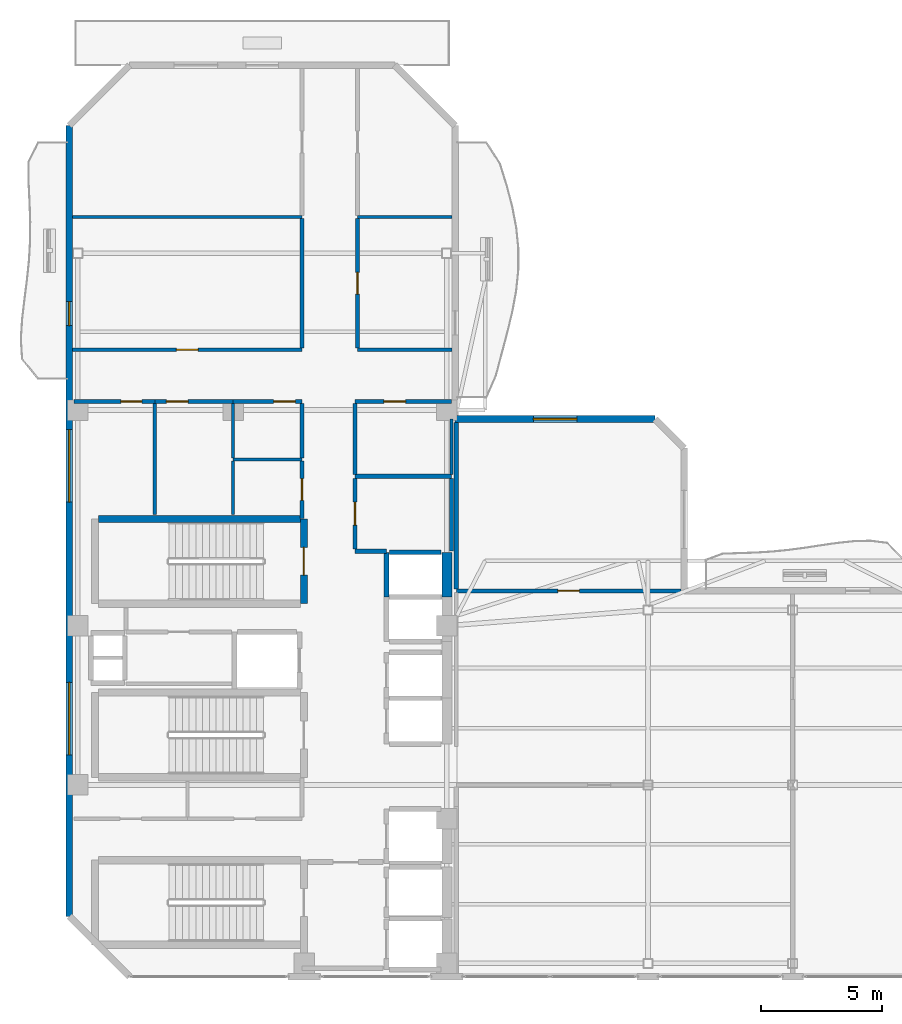
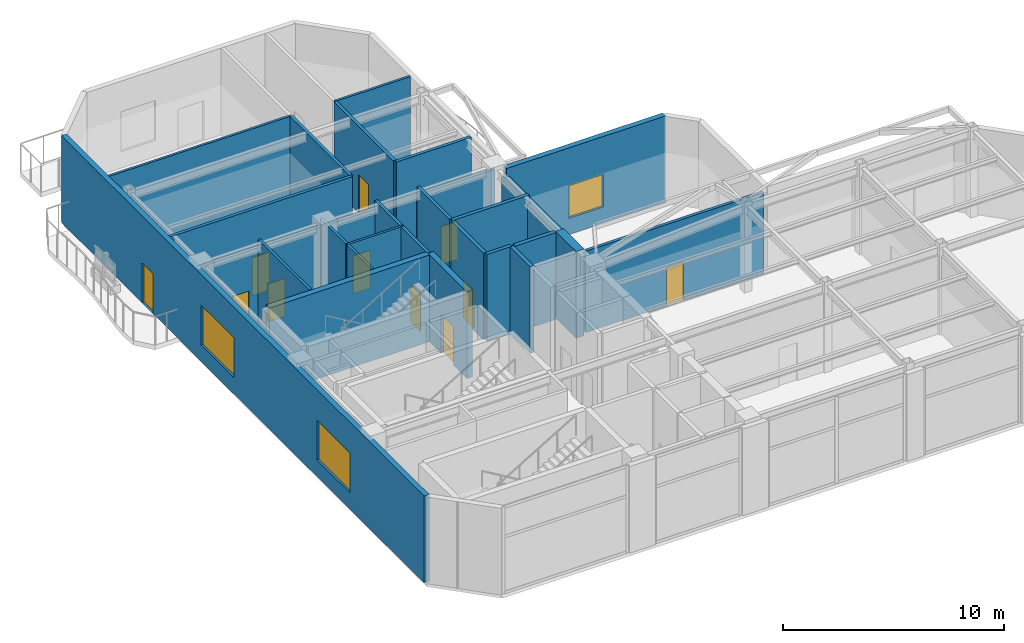
# One storey, part 10 of 14: 31 walls, 11 doors, 3 windows, 14 openings.
"""IFC4 building model written with IfcOpenShell, lengths in metres."""

from ifc_helpers import new_model, si_unit, direction, frame, frame_2d, origin, place, context, subcontext, project, spatial, rectangle, extrude, material, layer, layer_set, type_object, element, fill, save


model = new_model("IFC4")

# Units and contexts
model_context = context("Model", 3, precision=1e-05, world=origin(), true_north=direction((0.0, 1.0)))
body_context = subcontext(model_context, "Body", "Model", "MODEL_VIEW")
ifc_project = project(units=[si_unit("LENGTHUNIT", "METRE"), si_unit("AREAUNIT", "SQUARE_METRE"), si_unit("VOLUMEUNIT", "CUBIC_METRE"), si_unit("PLANEANGLEUNIT", "RADIAN"), si_unit("MASSUNIT", "GRAM", prefix="KILO")], contexts=[model_context])

# Site, building, storey
site_placement = place(None, origin())
site = spatial("IfcSite", under=ifc_project, at=site_placement, CompositionType="ELEMENT")
building_placement = place(site_placement, origin())
building = spatial("IfcBuilding", under=site, at=building_placement, Name="Mawjaban Terraces University", CompositionType="ELEMENT")
storey_placement = place(building_placement, frame((0.0, 0.0, 243.199951171875)))
storey = spatial("IfcBuildingStorey", under=building, at=storey_placement, Name="L59", CompositionType="ELEMENT", Elevation=243.199951171875)

# Walls
ifc_material_1 = material(Name="Acoustic masonry blockwork", Category="masonry")
ifc_layer_1 = layer(ifc_material_1, 0.179931640625)
ifc_layer_set_1 = layer_set([ifc_layer_1], Name="Acoustic masonry blockwork")
wall_type_1 = type_object("IfcWallType", Name="AcousticStudioWall_180", PredefinedType="PARTITIONING", material=ifc_layer_set_1)
wall_1_placement = place(storey_placement, frame((33.85009765625, 17.64990234375, 0.0), z_axis=(0.0, 0.0, 1.0), x_axis=(1.0, 0.0, 0.0)))
element("IfcWall", 1, at=wall_1_placement, inside=storey, type_object=wall_type_1, Name="L59 Graduate Research Collaboration Studio Partition 12", PredefinedType="PARTITIONING", context=body_context, shape_type="SweptSolid", body=[
    extrude(rectangle(XDim=1.2998046875, YDim=0.179931640625, at=frame_2d((0.64990234375, 0.0))), origin(), (0.0, 0.0, 1.0), 4.7900390625),
])
wall_2_placement = place(storey_placement, frame((37.85009765625, 20.75, 0.0), z_axis=(0.0, 0.0, 1.0), x_axis=(-1.0, 0.0, 0.0)))
element("IfcWall", 2, at=wall_2_placement, inside=storey, type_object=wall_type_1, Name="L59 Graduate Research Collaboration Studio Partition 14", PredefinedType="PARTITIONING", context=body_context, shape_type="SweptSolid", body=[
    extrude(rectangle(XDim=4.0, YDim=0.179931640625, at=frame_2d((2.0, 0.0))), origin(), (0.0, 0.0, 1.0), 4.7900390625),
])

# Wall, opening, door
wall_3_placement = place(storey_placement, frame((33.85009765625, 17.735107421875, 0.0), z_axis=(0.0, 0.0, 1.0), x_axis=(0.0, 1.0, 0.0)))
wall_3 = element("IfcWall", 3, at=wall_3_placement, inside=storey, type_object=wall_type_1, Name="L59 Core North Lift Lobby Partition 30", PredefinedType="PARTITIONING", context=body_context, shape_type="SweptSolid", body=[
    extrude(rectangle(XDim=2.929931640625, YDim=0.179931640625, at=frame_2d((1.46484375, 0.0))), origin(), (0.0, 0.0, 1.0), 4.7900390625),
])
opening_1_placement = place(wall_3_placement, frame((0.989990234375, 0.0, 0.0)))
opening_1 = element("IfcOpeningElement", 4, at=opening_1_placement, cuts=wall_3, Name="Opening ID-095", PredefinedType="OPENING", context=body_context, shape_type="SweptSolid", body=[
    extrude(rectangle(XDim=0.949951171875, YDim=2.10009765625, at=frame_2d((0.47509765625, 1.050048828125))), frame((0.0, 0.099853515625, 0.0), z_axis=(0.0, -1.0, 0.0), x_axis=(1.0, 0.0, 0.0)), (0.0, 0.0, 1.0), 0.199951171875),
])
ifc_material_2 = material(Name="Powder-coated steel frame and solid acoustic timber leaf", Category="steel")
door_type_1 = type_object("IfcDoorType", Name="StudioDoor_950x2100", OperationType="NOTDEFINED", PredefinedType="DOOR", material=ifc_material_2)
door_1_placement = place(opening_1_placement, origin())
door_1 = element("IfcDoor", 5, at=door_1_placement, inside=storey, type_object=door_type_1, Name="L59 Graduate Research Collaboration Studio Door", OperationType="SINGLE_SWING_RIGHT", OverallHeight=2.10009765625, OverallWidth=0.949951171875, PredefinedType="DOOR", context=body_context, shape_type="SweptSolid", body=[
    extrude(rectangle(XDim=0.949951171875, YDim=2.10009765625, at=frame_2d((0.47509765625, 1.050048828125))), frame((0.0, 0.02490234375, 0.0), z_axis=(0.0, -1.0, 0.0), x_axis=(1.0, 0.0, 0.0)), (0.0, 0.0, 1.0), 0.050048828125),
])
fill(opening_1, door_1)

# Walls
wall_4_placement = place(storey_placement, frame((37.85009765625, 17.64990234375, 0.0), z_axis=(0.0, 0.0, 1.0), x_axis=(0.0, 1.0, 0.0)))
element("IfcWall", 6, at=wall_4_placement, inside=storey, type_object=wall_type_1, Name="L59 Graduate Research Collaboration Studio Partition 34", PredefinedType="PARTITIONING", context=body_context, shape_type="SweptSolid", body=[
    extrude(rectangle(XDim=3.01513671875, YDim=0.179931640625, at=frame_2d((1.507568359375, 0.0))), origin(), (0.0, 0.0, 1.0), 4.3271484375),
])
wall_5_placement = place(storey_placement, frame((38.050048828125, 22.991943359375, 0.0), z_axis=(0.0, 0.0, 1.0), x_axis=(0.0, -1.0, 0.0)))
element("IfcWall", 7, at=wall_5_placement, inside=storey, type_object=wall_type_1, Name="L59 High-Rise Terrace Study Room Partition 39", PredefinedType="PARTITIONING", context=body_context, shape_type="SweptSolid", body=[
    extrude(rectangle(XDim=6.9169921875, YDim=0.179931640625, at=frame_2d((3.45849609375, 0.0))), origin(), (0.0, 0.0, 1.0), 4.3271484375),
])
ifc_material_3 = material(Name="Concrete C50/60", Category="concrete")
ifc_layer_2 = layer(ifc_material_3, 0.419921875)
ifc_layer_set_2 = layer_set([ifc_layer_2], Name="Concrete C50/60")
wall_type_2 = type_object("IfcWallType", Name="CoreShearWall_420", PredefinedType="SHEAR", material=ifc_layer_set_2)
wall_6_placement = place(storey_placement, frame((37.659912109375, 15.75, 0.0), z_axis=(0.0, 0.0, 1.0), x_axis=(0.0, 1.0, 0.0)))
element("IfcWall", 8, at=wall_6_placement, inside=storey, type_object=wall_type_2, Name="L59 Lift OL-2 Hoistway Wall East", PredefinedType="SHEAR", context=body_context, shape_type="SweptSolid", body=[
    extrude(rectangle(XDim=1.85009765625, YDim=0.419921875, at=frame_2d((0.925048828125, 0.0))), origin(), (0.0, 0.0, 1.0), 4.7900390625),
])

# Wall, opening, door
ifc_material_4 = material(Name="Fire-rated gypsum board on steel stud", Category="steel")
ifc_layer_3 = layer(ifc_material_4, 0.159912109375)
ifc_layer_set_3 = layer_set([ifc_layer_3], Name="Fire-rated gypsum board on steel stud")
wall_type_3 = type_object("IfcWallType", Name="CorridorPartition_160", PredefinedType="PARTITIONING", material=ifc_layer_set_3)
wall_7_placement = place(storey_placement, frame((25.550048828125, 23.85009765625, 0.0), z_axis=(0.0, 0.0, 1.0), x_axis=(-1.0, 0.0, 0.0)))
wall_7 = element("IfcWall", 9, at=wall_7_placement, inside=storey, type_object=wall_type_3, Name="L59 Female Toilet Partition 3", PredefinedType="PARTITIONING", context=body_context, shape_type="SweptSolid", body=[
    extrude(rectangle(XDim=3.35009765625, YDim=0.159912109375, at=frame_2d((1.675048828125, 0.0))), origin(), (0.0, 0.0, 1.0), 4.3271484375),
])
opening_2_placement = place(wall_7_placement, frame((0.534912109375, 0.0, 0.0)))
opening_2 = element("IfcOpeningElement", 10, at=opening_2_placement, cuts=wall_7, Name="Opening ID-088", PredefinedType="OPENING", context=body_context, shape_type="SweptSolid", body=[
    extrude(rectangle(XDim=0.8798828125, YDim=2.10009765625, at=frame_2d((0.43994140625, 1.050048828125))), frame((0.0, 0.08984375, 0.0), z_axis=(0.0, -1.0, 0.0), x_axis=(1.0, 0.0, 0.0)), (0.0, 0.0, 1.0), 0.179931640625),
])
door_type_2 = type_object("IfcDoorType", Name="ToiletDoor_880x2100", OperationType="NOTDEFINED", PredefinedType="DOOR", material=ifc_material_2)
door_2_placement = place(opening_2_placement, origin())
door_2 = element("IfcDoor", 11, at=door_2_placement, inside=storey, type_object=door_type_2, Name="L59 Female Toilet Door", OperationType="SINGLE_SWING_LEFT", OverallHeight=2.10009765625, OverallWidth=0.8798828125, PredefinedType="DOOR", context=body_context, shape_type="SweptSolid", body=[
    extrude(rectangle(XDim=0.8798828125, YDim=2.10009765625, at=frame_2d((0.43994140625, 1.050048828125))), frame((0.0, 0.02490234375, 0.0), z_axis=(0.0, -1.0, 0.0), x_axis=(1.0, 0.0, 0.0)), (0.0, 0.0, 1.0), 0.050048828125),
])
fill(opening_2, door_2)

wall_8_placement = place(storey_placement, frame((28.800048828125, 23.85009765625, 0.0), z_axis=(0.0, 0.0, 1.0), x_axis=(-1.0, 0.0, 0.0)))
wall_8 = element("IfcWall", 12, at=wall_8_placement, inside=storey, type_object=wall_type_3, Name="L59 Staff Tea Pantry Partition 5", PredefinedType="PARTITIONING", context=body_context, shape_type="SweptSolid", body=[
    extrude(rectangle(XDim=3.25, YDim=0.159912109375, at=frame_2d((1.625, 0.0))), origin(), (0.0, 0.0, 1.0), 4.3271484375),
])
opening_3_placement = place(wall_8_placement, frame((1.875, 0.0, 0.0)))
opening_3 = element("IfcOpeningElement", 13, at=opening_3_placement, cuts=wall_8, Name="Opening ID-090", PredefinedType="OPENING", context=body_context, shape_type="SweptSolid", body=[
    extrude(rectangle(XDim=0.89990234375, YDim=2.10009765625, at=frame_2d((0.449951171875, 1.050048828125))), frame((0.0, 0.08984375, 0.0), z_axis=(0.0, -1.0, 0.0), x_axis=(1.0, 0.0, 0.0)), (0.0, 0.0, 1.0), 0.179931640625),
])
door_type_3 = type_object("IfcDoorType", Name="OfficeDoor_900x2100", OperationType="NOTDEFINED", PredefinedType="DOOR", material=ifc_material_2)
door_3_placement = place(opening_3_placement, origin())
door_3 = element("IfcDoor", 14, at=door_3_placement, inside=storey, type_object=door_type_3, Name="L59 Staff Tea Pantry Door", OperationType="SINGLE_SWING_RIGHT", OverallHeight=2.10009765625, OverallWidth=0.89990234375, PredefinedType="DOOR", context=body_context, shape_type="SweptSolid", body=[
    extrude(rectangle(XDim=0.89990234375, YDim=2.10009765625, at=frame_2d((0.449951171875, 1.050048828125))), frame((0.0, 0.02490234375, 0.0), z_axis=(0.0, -1.0, 0.0), x_axis=(1.0, 0.0, 0.0)), (0.0, 0.0, 1.0), 0.050048828125),
])
fill(opening_3, door_3)

wall_9_placement = place(storey_placement, frame((31.64990234375, 23.85009765625, 0.0), z_axis=(0.0, 0.0, 1.0), x_axis=(-1.0, 0.0, 0.0)))
wall_9 = element("IfcWall", 15, at=wall_9_placement, inside=storey, type_object=wall_type_3, Name="L59 Faculty Consultation Alcove Partition 9", PredefinedType="PARTITIONING", context=body_context, shape_type="SweptSolid", body=[
    extrude(rectangle(XDim=2.849853515625, YDim=0.159912109375, at=frame_2d((1.4248046875, 0.0))), origin(), (0.0, 0.0, 1.0), 4.3271484375),
])
opening_4_placement = place(wall_9_placement, frame((0.27490234375, 0.0, 0.0)))
opening_4 = element("IfcOpeningElement", 16, at=opening_4_placement, cuts=wall_9, Name="Opening ID-090", PredefinedType="OPENING", context=body_context, shape_type="SweptSolid", body=[
    extrude(rectangle(XDim=0.89990234375, YDim=2.10009765625, at=frame_2d((0.449951171875, 1.050048828125))), frame((0.0, 0.08984375, 0.0), z_axis=(0.0, -1.0, 0.0), x_axis=(1.0, 0.0, 0.0)), (0.0, 0.0, 1.0), 0.179931640625),
])
door_4_placement = place(opening_4_placement, origin())
door_4 = element("IfcDoor", 17, at=door_4_placement, inside=storey, type_object=door_type_3, Name="L59 Faculty Consultation Alcove Door", OperationType="SINGLE_SWING_LEFT", OverallHeight=2.10009765625, OverallWidth=0.89990234375, PredefinedType="DOOR", context=body_context, shape_type="SweptSolid", body=[
    extrude(rectangle(XDim=0.89990234375, YDim=2.10009765625, at=frame_2d((0.449951171875, 1.050048828125))), frame((0.0, 0.02490234375, 0.0), z_axis=(0.0, -1.0, 0.0), x_axis=(1.0, 0.0, 0.0)), (0.0, 0.0, 1.0), 0.050048828125),
])
fill(opening_4, door_4)

wall_10_placement = place(storey_placement, frame((31.64990234375, 26.0, 0.0), z_axis=(0.0, 0.0, 1.0), x_axis=(-1.0, 0.0, 0.0)))
wall_10 = element("IfcWall", 18, at=wall_10_placement, inside=storey, type_object=wall_type_3, Name="L59 North Core Cross-Corridor Partition 10", PredefinedType="PARTITIONING", context=body_context, shape_type="SweptSolid", body=[
    extrude(rectangle(XDim=9.516845703125, YDim=0.159912109375, at=frame_2d((4.75830078125, 0.0))), origin(), (0.0, 0.0, 1.0), 4.7900390625),
])
opening_5_placement = place(wall_10_placement, frame((4.30810546875, 0.0, 0.0)))
opening_5 = element("IfcOpeningElement", 19, at=opening_5_placement, cuts=wall_10, Name="Opening ID-090", PredefinedType="OPENING", context=body_context, shape_type="SweptSolid", body=[
    extrude(rectangle(XDim=0.89990234375, YDim=2.10009765625, at=frame_2d((0.449951171875, 1.050048828125))), frame((0.0, 0.08984375, 0.0), z_axis=(0.0, -1.0, 0.0), x_axis=(1.0, 0.0, 0.0)), (0.0, 0.0, 1.0), 0.179931640625),
])
door_5_placement = place(opening_5_placement, origin())
door_5 = element("IfcDoor", 20, at=door_5_placement, inside=storey, type_object=door_type_3, Name="L59 Doctoral Research Workspace Door", OperationType="SINGLE_SWING_RIGHT", OverallHeight=2.10009765625, OverallWidth=0.89990234375, PredefinedType="DOOR", context=body_context, shape_type="SweptSolid", body=[
    extrude(rectangle(XDim=0.89990234375, YDim=2.10009765625, at=frame_2d((0.449951171875, 1.050048828125))), frame((0.0, 0.02490234375, 0.0), z_axis=(0.0, -1.0, 0.0), x_axis=(1.0, 0.0, 0.0)), (0.0, 0.0, 1.0), 0.050048828125),
])
fill(opening_5, door_5)

wall_11_placement = place(storey_placement, frame((37.85009765625, 23.85009765625, 0.0), z_axis=(0.0, 0.0, 1.0), x_axis=(-1.0, 0.0, 0.0)))
wall_11 = element("IfcWall", 21, at=wall_11_placement, inside=storey, type_object=wall_type_3, Name="L59 Departmental Copy and Archive Room Partition 15", PredefinedType="PARTITIONING", context=body_context, shape_type="SweptSolid", body=[
    extrude(rectangle(XDim=4.0, YDim=0.159912109375, at=frame_2d((2.0, 0.0))), origin(), (0.0, 0.0, 1.0), 4.3271484375),
])
opening_6_placement = place(wall_11_placement, frame((1.89990234375, 0.0, 0.0)))
opening_6 = element("IfcOpeningElement", 22, at=opening_6_placement, cuts=wall_11, Name="Opening ID-090", PredefinedType="OPENING", context=body_context, shape_type="SweptSolid", body=[
    extrude(rectangle(XDim=0.89990234375, YDim=2.10009765625, at=frame_2d((0.449951171875, 1.050048828125))), frame((0.0, 0.08984375, 0.0), z_axis=(0.0, -1.0, 0.0), x_axis=(1.0, 0.0, 0.0)), (0.0, 0.0, 1.0), 0.179931640625),
])
door_6_placement = place(opening_6_placement, origin())
door_6 = element("IfcDoor", 23, at=door_6_placement, inside=storey, type_object=door_type_3, Name="L59 Departmental Copy and Archive Room Door", OperationType="SINGLE_SWING_LEFT", OverallHeight=2.10009765625, OverallWidth=0.89990234375, PredefinedType="DOOR", context=body_context, shape_type="SweptSolid", body=[
    extrude(rectangle(XDim=0.89990234375, YDim=2.10009765625, at=frame_2d((0.449951171875, 1.050048828125))), frame((0.0, 0.02490234375, 0.0), z_axis=(0.0, -1.0, 0.0), x_axis=(1.0, 0.0, 0.0)), (0.0, 0.0, 1.0), 0.050048828125),
])
fill(opening_6, door_6)

# Wall
wall_12_placement = place(storey_placement, frame((37.866943359375, 26.0, 0.0), z_axis=(0.0, 0.0, 1.0), x_axis=(-1.0, 0.0, 0.0)))
element("IfcWall", 24, at=wall_12_placement, inside=storey, type_object=wall_type_3, Name="L59 North Core Cross-Corridor Partition 16", PredefinedType="PARTITIONING", context=body_context, shape_type="SweptSolid", body=[
    extrude(rectangle(XDim=3.9169921875, YDim=0.159912109375, at=frame_2d((1.95849609375, 0.0))), origin(), (0.0, 0.0, 1.0), 4.7900390625),
])

# Wall, opening, door
wall_13_placement = place(storey_placement, frame((38.050048828125, 16.0, 0.0), z_axis=(0.0, 0.0, 1.0), x_axis=(1.0, 0.0, 0.0)))
wall_13 = element("IfcWall", 25, at=wall_13_placement, inside=storey, type_object=wall_type_3, Name="L59 High-Rise Terrace Study Room Partition 19", PredefinedType="PARTITIONING", context=body_context, shape_type="SweptSolid", body=[
    extrude(rectangle(XDim=9.31689453125, YDim=0.159912109375, at=frame_2d((4.658447265625, 0.0))), origin(), (0.0, 0.0, 1.0), 4.489990234375),
])
opening_7_placement = place(wall_13_placement, frame((4.2080078125, 0.0, 0.0)))
opening_7 = element("IfcOpeningElement", 26, at=opening_7_placement, cuts=wall_13, Name="Opening ID-090", PredefinedType="OPENING", context=body_context, shape_type="SweptSolid", body=[
    extrude(rectangle(XDim=0.89990234375, YDim=2.10009765625, at=frame_2d((0.449951171875, 1.050048828125))), frame((0.0, 0.08984375, 0.0), z_axis=(0.0, -1.0, 0.0), x_axis=(1.0, 0.0, 0.0)), (0.0, 0.0, 1.0), 0.179931640625),
])
door_7_placement = place(opening_7_placement, origin())
door_7 = element("IfcDoor", 27, at=door_7_placement, inside=storey, type_object=door_type_3, Name="L59 High-Rise Terrace Study Room Door", OperationType="SINGLE_SWING_LEFT", OverallHeight=2.10009765625, OverallWidth=0.89990234375, PredefinedType="DOOR", context=body_context, shape_type="SweptSolid", body=[
    extrude(rectangle(XDim=0.89990234375, YDim=2.10009765625, at=frame_2d((0.449951171875, 1.050048828125))), frame((0.0, 0.02490234375, 0.0), z_axis=(0.0, -1.0, 0.0), x_axis=(1.0, 0.0, 0.0)), (0.0, 0.0, 1.0), 0.050048828125),
])
fill(opening_7, door_7)

wall_14_placement = place(storey_placement, frame((31.64990234375, 19.010009765625, 0.0), z_axis=(0.0, 0.0, 1.0), x_axis=(0.0, 1.0, 0.0)))
wall_14 = element("IfcWall", 28, at=wall_14_placement, inside=storey, type_object=wall_type_3, Name="L59 Faculty Academic Resource Office Partition 26", PredefinedType="PARTITIONING", context=body_context, shape_type="SweptSolid", body=[
    extrude(rectangle(XDim=2.382080078125, YDim=0.159912109375, at=frame_2d((1.19091796875, 0.0))), origin(), (0.0, 0.0, 1.0), 4.7900390625),
])
opening_8_placement = place(wall_14_placement, frame((0.740966796875, 0.0, 0.0)))
opening_8 = element("IfcOpeningElement", 29, at=opening_8_placement, cuts=wall_14, Name="Opening ID-090", PredefinedType="OPENING", context=body_context, shape_type="SweptSolid", body=[
    extrude(rectangle(XDim=0.89990234375, YDim=2.10009765625, at=frame_2d((0.449951171875, 1.050048828125))), frame((0.0, 0.08984375, 0.0), z_axis=(0.0, -1.0, 0.0), x_axis=(1.0, 0.0, 0.0)), (0.0, 0.0, 1.0), 0.179931640625),
])
door_8_placement = place(opening_8_placement, origin())
door_8 = element("IfcDoor", 30, at=door_8_placement, inside=storey, type_object=door_type_3, Name="L59 Faculty Academic Resource Office Door", OperationType="SINGLE_SWING_RIGHT", OverallHeight=2.10009765625, OverallWidth=0.89990234375, PredefinedType="DOOR", context=body_context, shape_type="SweptSolid", body=[
    extrude(rectangle(XDim=0.89990234375, YDim=2.10009765625, at=frame_2d((0.449951171875, 1.050048828125))), frame((0.0, 0.02490234375, 0.0), z_axis=(0.0, -1.0, 0.0), x_axis=(1.0, 0.0, 0.0)), (0.0, 0.0, 1.0), 0.050048828125),
])
fill(opening_8, door_8)

# Walls
wall_15_placement = place(storey_placement, frame((31.64990234375, 23.77490234375, 0.0), z_axis=(0.0, 0.0, 1.0), x_axis=(0.0, -1.0, 0.0)))
element("IfcWall", 31, at=wall_15_placement, inside=storey, type_object=wall_type_3, Name="L59 Core North Lift Lobby Partition 27", PredefinedType="PARTITIONING", context=body_context, shape_type="SweptSolid", body=[
    extrude(rectangle(XDim=2.266845703125, YDim=0.159912109375, at=frame_2d((1.13330078125, 0.0))), origin(), (0.0, 0.0, 1.0), 4.7900390625),
])
wall_16_placement = place(storey_placement, frame((31.64990234375, 31.44189453125, 0.0), z_axis=(0.0, 0.0, 1.0), x_axis=(0.0, -1.0, 0.0)))
element("IfcWall", 32, at=wall_16_placement, inside=storey, type_object=wall_type_3, Name="L59 Sky Lobby North Promenade Partition 28", PredefinedType="PARTITIONING", context=body_context, shape_type="SweptSolid", body=[
    extrude(rectangle(XDim=5.366943359375, YDim=0.159912109375, at=frame_2d((2.68359375, 0.0))), origin(), (0.0, 0.0, 1.0), 4.7900390625),
])
wall_17_placement = place(storey_placement, frame((33.85009765625, 20.8349609375, 0.0), z_axis=(0.0, 0.0, 1.0), x_axis=(0.0, 1.0, 0.0)))
element("IfcWall", 33, at=wall_17_placement, inside=storey, type_object=wall_type_3, Name="L59 Core North Lift Lobby Partition 31", PredefinedType="PARTITIONING", context=body_context, shape_type="SweptSolid", body=[
    extrude(rectangle(XDim=2.93994140625, YDim=0.159912109375, at=frame_2d((1.469970703125, 0.0))), origin(), (0.0, 0.0, 1.0), 4.7900390625),
])

# Wall, opening, door
wall_18_placement = place(storey_placement, frame((33.949951171875, 26.074951171875, 0.0), z_axis=(0.0, 0.0, 1.0), x_axis=(0.0, 1.0, 0.0)))
wall_18 = element("IfcWall", 34, at=wall_18_placement, inside=storey, type_object=wall_type_3, Name="L59 Sky Lobby North Promenade Partition 32", PredefinedType="PARTITIONING", context=body_context, shape_type="SweptSolid", body=[
    extrude(rectangle(XDim=5.366943359375, YDim=0.159912109375, at=frame_2d((2.68359375, 0.0))), origin(), (0.0, 0.0, 1.0), 4.7900390625),
])
opening_9_placement = place(wall_18_placement, frame((2.23388671875, 0.0, 0.0)))
opening_9 = element("IfcOpeningElement", 35, at=opening_9_placement, cuts=wall_18, Name="Opening ID-090", PredefinedType="OPENING", context=body_context, shape_type="SweptSolid", body=[
    extrude(rectangle(XDim=0.89990234375, YDim=2.10009765625, at=frame_2d((0.449951171875, 1.050048828125))), frame((0.0, 0.08984375, 0.0), z_axis=(0.0, -1.0, 0.0), x_axis=(1.0, 0.0, 0.0)), (0.0, 0.0, 1.0), 0.179931640625),
])
door_9_placement = place(opening_9_placement, origin())
door_9 = element("IfcDoor", 36, at=door_9_placement, inside=storey, type_object=door_type_3, Name="L59 Research Dean Office Door", OperationType="SINGLE_SWING_RIGHT", OverallHeight=2.10009765625, OverallWidth=0.89990234375, PredefinedType="DOOR", context=body_context, shape_type="SweptSolid", body=[
    extrude(rectangle(XDim=0.89990234375, YDim=2.10009765625, at=frame_2d((0.449951171875, 1.050048828125))), frame((0.0, 0.02490234375, 0.0), z_axis=(0.0, -1.0, 0.0), x_axis=(1.0, 0.0, 0.0)), (0.0, 0.0, 1.0), 0.050048828125),
])
fill(opening_9, door_9)

# Wall, opening, window
ifc_material_5 = material(Name="Insulated terracotta rainscreen on concrete backup C40/50", Category="masonry")
ifc_layer_4 = layer(ifc_material_5, 0.27490234375)
ifc_layer_set_4 = layer_set([ifc_layer_4], Name="Insulated terracotta rainscreen on concrete backup C40/50")
wall_type_4 = type_object("IfcWallType", Name="ExtTerracottaWall_275", PredefinedType="SOLIDWALL", material=ifc_layer_set_4)
wall_19_placement = place(storey_placement, frame((46.300048828125, 23.125, 0.0), z_axis=(0.0, 0.0, 1.0), x_axis=(-1.0, 0.0, 0.0)))
wall_19 = element("IfcWall", 37, at=wall_19_placement, inside=storey, type_object=wall_type_4, Name="L59 Exterior Terracotta Wall 8", PredefinedType="SOLIDWALL", context=body_context, shape_type="SweptSolid", body=[
    extrude(rectangle(XDim=8.300048828125, YDim=0.27490234375, at=frame_2d((4.14990234375, 0.0))), origin(), (0.0, 0.0, 1.0), 4.7900390625),
])
opening_10_placement = place(wall_19_placement, frame((3.25, 0.0, 0.89990234375)))
opening_10 = element("IfcOpeningElement", 38, at=opening_10_placement, cuts=wall_19, Name="Opening W-07", PredefinedType="OPENING", context=body_context, shape_type="SweptSolid", body=[
    extrude(rectangle(XDim=1.800048828125, YDim=1.800048828125, at=frame_2d((0.89990234375, 0.89990234375))), frame((0.0, 0.1474609375, 0.0), z_axis=(0.0, -1.0, 0.0), x_axis=(1.0, 0.0, 0.0)), (0.0, 0.0, 1.0), 0.294921875),
])
ifc_material_6 = material(Name="Low-E solar-control double glazing in thermally broken aluminium frame", Category="aluminium")
window_type_1 = type_object("IfcWindowType", Name="Win_1800x1800", PartitioningType="SINGLE_PANEL", PredefinedType="WINDOW", material=ifc_material_6)
window_1_placement = place(opening_10_placement, origin())
window_1 = element("IfcWindow", 39, at=window_1_placement, inside=storey, type_object=window_type_1, Name="L59 Facade Window 8.1", OverallHeight=1.800048828125, OverallWidth=1.800048828125, PartitioningType="SINGLE_PANEL", PredefinedType="WINDOW", context=body_context, shape_type="SweptSolid", body=[
    extrude(rectangle(XDim=1.800048828125, YDim=1.800048828125, at=frame_2d((0.89990234375, 0.89990234375))), frame((0.0, 0.030029296875, 0.0), z_axis=(0.0, -1.0, 0.0), x_axis=(1.0, 0.0, 0.0)), (0.0, 0.0, 1.0), 0.06005859375),
])
fill(opening_10, window_1)

# Wall, openings, door, windows
wall_20_placement = place(storey_placement, frame((22.0, 35.300048828125, 0.0), z_axis=(0.0, 0.0, 1.0), x_axis=(0.0, -1.0, 0.0)))
wall_20 = element("IfcWall", 40, at=wall_20_placement, inside=storey, type_object=wall_type_4, Name="L59 Exterior Terracotta Wall 13", PredefinedType="SOLIDWALL", context=body_context, shape_type="SweptSolid", body=[
    extrude(rectangle(XDim=32.800048828125, YDim=0.27490234375, at=frame_2d((16.39990234375, 0.0))), origin(), (0.0, 0.0, 1.0), 4.7900390625),
])
opening_11_placement = place(wall_20_placement, frame((7.300048828125, 0.0, 0.0)))
opening_11 = element("IfcOpeningElement", 41, at=opening_11_placement, cuts=wall_20, Name="Opening BD-100", PredefinedType="OPENING", context=body_context, shape_type="SweptSolid", body=[
    extrude(rectangle(XDim=1.0, YDim=2.199951171875, at=frame_2d((0.5, 1.10009765625))), frame((0.0, 0.1474609375, 0.0), z_axis=(0.0, -1.0, 0.0), x_axis=(1.0, 0.0, 0.0)), (0.0, 0.0, 1.0), 0.294921875),
])
opening_12_placement = place(wall_20_placement, frame((12.616943359375, 0.0, 0.89990234375)))
opening_12 = element("IfcOpeningElement", 42, at=opening_12_placement, cuts=wall_20, Name="Opening W-12", PredefinedType="OPENING", context=body_context, shape_type="SweptSolid", body=[
    extrude(rectangle(XDim=3.0, YDim=2.199951171875, at=frame_2d((1.5, 1.10009765625))), frame((0.0, 0.1474609375, 0.0), z_axis=(0.0, -1.0, 0.0), x_axis=(1.0, 0.0, 0.0)), (0.0, 0.0, 1.0), 0.294921875),
])
opening_13_placement = place(wall_20_placement, frame((23.10009765625, 0.0, 0.89990234375)))
opening_13 = element("IfcOpeningElement", 43, at=opening_13_placement, cuts=wall_20, Name="Opening W-12", PredefinedType="OPENING", context=body_context, shape_type="SweptSolid", body=[
    extrude(rectangle(XDim=3.0, YDim=2.199951171875, at=frame_2d((1.5, 1.10009765625))), frame((0.0, 0.1474609375, 0.0), z_axis=(0.0, -1.0, 0.0), x_axis=(1.0, 0.0, 0.0)), (0.0, 0.0, 1.0), 0.294921875),
])
ifc_material_7 = material(Name="Thermally broken anodised aluminium and laminated safety glass", Category="aluminium")
door_type_4 = type_object("IfcDoorType", Name="BalconyGlazedDoor_1000x2200", OperationType="NOTDEFINED", PredefinedType="DOOR", material=ifc_material_7)
door_10_placement = place(opening_11_placement, origin())
door_10 = element("IfcDoor", 44, at=door_10_placement, inside=storey, type_object=door_type_4, Name="L59 Balcony Access Door west", OperationType="SINGLE_SWING_RIGHT", OverallHeight=2.199951171875, OverallWidth=1.0, PredefinedType="DOOR", context=body_context, shape_type="SweptSolid", body=[
    extrude(rectangle(XDim=1.0, YDim=2.199951171875, at=frame_2d((0.5, 1.10009765625))), frame((0.0, 0.02490234375, 0.0), z_axis=(0.0, -1.0, 0.0), x_axis=(1.0, 0.0, 0.0)), (0.0, 0.0, 1.0), 0.050048828125),
])
fill(opening_11, door_10)
window_type_2 = type_object("IfcWindowType", Name="Win_3000x2200", PartitioningType="SINGLE_PANEL", PredefinedType="WINDOW", material=ifc_material_6)
window_2_placement = place(opening_12_placement, origin())
window_2 = element("IfcWindow", 45, at=window_2_placement, inside=storey, type_object=window_type_2, Name="L59 Facade Window 13.3", OverallHeight=2.199951171875, OverallWidth=3.0, PartitioningType="SINGLE_PANEL", PredefinedType="WINDOW", context=body_context, shape_type="SweptSolid", body=[
    extrude(rectangle(XDim=3.0, YDim=2.199951171875, at=frame_2d((1.5, 1.10009765625))), frame((0.0, 0.030029296875, 0.0), z_axis=(0.0, -1.0, 0.0), x_axis=(1.0, 0.0, 0.0)), (0.0, 0.0, 1.0), 0.06005859375),
])
fill(opening_12, window_2)
window_3_placement = place(opening_13_placement, origin())
window_3 = element("IfcWindow", 46, at=window_3_placement, inside=storey, type_object=window_type_2, Name="L59 Facade Window 13.5", OverallHeight=2.199951171875, OverallWidth=3.0, PartitioningType="SINGLE_PANEL", PredefinedType="WINDOW", context=body_context, shape_type="SweptSolid", body=[
    extrude(rectangle(XDim=3.0, YDim=2.199951171875, at=frame_2d((1.5, 1.10009765625))), frame((0.0, 0.030029296875, 0.0), z_axis=(0.0, -1.0, 0.0), x_axis=(1.0, 0.0, 0.0)), (0.0, 0.0, 1.0), 0.06005859375),
])
fill(opening_13, window_3)

# Walls
ifc_material_8 = material(Name="Concrete C40/50", Category="concrete")
ifc_layer_5 = layer(ifc_material_8, 0.199951171875)
ifc_layer_set_5 = layer_set([ifc_layer_5], Name="Concrete C40/50")
wall_type_5 = type_object("IfcWallType", Name="FireLobbyWall_200", PredefinedType="SOLIDWALL", material=ifc_layer_set_5)
wall_21_placement = place(storey_placement, frame((35.14990234375, 17.60009765625, 0.0), z_axis=(0.0, 0.0, 1.0), x_axis=(0.0, -1.0, 0.0)))
element("IfcWall", 47, at=wall_21_placement, inside=storey, type_object=wall_type_5, Name="L59 Lift OL-2 Hoistway Wall West", PredefinedType="SOLIDWALL", context=body_context, shape_type="SweptSolid", body=[
    extrude(rectangle(XDim=1.85009765625, YDim=0.199951171875, at=frame_2d((0.925048828125, 0.0))), origin(), (0.0, 0.0, 1.0), 4.7900390625),
])
wall_22_placement = place(storey_placement, frame((37.419921875, 17.60009765625, 0.0), z_axis=(0.0, 0.0, 1.0), x_axis=(-1.0, 0.0, 0.0)))
element("IfcWall", 48, at=wall_22_placement, inside=storey, type_object=wall_type_5, Name="L59 Lift OL-2 Hoistway Wall North", PredefinedType="SOLIDWALL", context=body_context, shape_type="SweptSolid", body=[
    extrude(rectangle(XDim=2.139892578125, YDim=0.199951171875, at=frame_2d((1.06982421875, 0.0))), origin(), (0.0, 0.0, 1.0), 4.7900390625),
])
ifc_material_9 = material(Name="Gypsum plasterboard on steel stud", Category="steel")
ifc_layer_6 = layer(ifc_material_9, 0.125)
ifc_layer_set_6 = layer_set([ifc_layer_6], Name="Gypsum plasterboard on steel stud")
wall_type_6 = type_object("IfcWallType", Name="OfficePartition_125", PredefinedType="PARTITIONING", material=ifc_layer_set_6)
wall_23_placement = place(storey_placement, frame((31.64990234375, 21.449951171875, 0.0), z_axis=(0.0, 0.0, 1.0), x_axis=(-1.0, 0.0, 0.0)))
element("IfcWall", 49, at=wall_23_placement, inside=storey, type_object=wall_type_6, Name="L59 Faculty Academic Resource Office Partition 8", PredefinedType="PARTITIONING", context=body_context, shape_type="SweptSolid", body=[
    extrude(rectangle(XDim=2.849853515625, YDim=0.125, at=frame_2d((1.4248046875, 0.0))), origin(), (0.0, 0.0, 1.0), 4.7900390625),
])
wall_24_placement = place(storey_placement, frame((31.64990234375, 31.5, 0.0), z_axis=(0.0, 0.0, 1.0), x_axis=(-1.0, 0.0, 0.0)))
element("IfcWall", 50, at=wall_24_placement, inside=storey, type_object=wall_type_6, Name="L59 Doctoral Research Workspace Partition 11", PredefinedType="PARTITIONING", context=body_context, shape_type="SweptSolid", body=[
    extrude(rectangle(XDim=9.516845703125, YDim=0.125, at=frame_2d((4.75830078125, 0.0))), origin(), (0.0, 0.0, 1.0), 4.7900390625),
])
wall_25_placement = place(storey_placement, frame((37.866943359375, 31.5, 0.0), z_axis=(0.0, 0.0, 1.0), x_axis=(-1.0, 0.0, 0.0)))
element("IfcWall", 51, at=wall_25_placement, inside=storey, type_object=wall_type_6, Name="L59 Research Dean Office Partition 17", PredefinedType="PARTITIONING", context=body_context, shape_type="SweptSolid", body=[
    extrude(rectangle(XDim=3.9169921875, YDim=0.125, at=frame_2d((1.95849609375, 0.0))), origin(), (0.0, 0.0, 1.0), 4.7900390625),
])
wall_26_placement = place(storey_placement, frame((28.800048828125, 21.39208984375, 0.0), z_axis=(0.0, 0.0, 1.0), x_axis=(0.0, -1.0, 0.0)))
element("IfcWall", 52, at=wall_26_placement, inside=storey, type_object=wall_type_6, Name="L59 Faculty Academic Resource Office Partition 23", PredefinedType="PARTITIONING", context=body_context, shape_type="SweptSolid", body=[
    extrude(rectangle(XDim=2.232177734375, YDim=0.125, at=frame_2d((1.1162109375, 0.0))), origin(), (0.0, 0.0, 1.0), 4.7900390625),
])
wall_27_placement = place(storey_placement, frame((28.800048828125, 23.77490234375, 0.0), z_axis=(0.0, 0.0, 1.0), x_axis=(0.0, -1.0, 0.0)))
element("IfcWall", 53, at=wall_27_placement, inside=storey, type_object=wall_type_6, Name="L59 Faculty Consultation Alcove Partition 24", PredefinedType="PARTITIONING", context=body_context, shape_type="SweptSolid", body=[
    extrude(rectangle(XDim=2.266845703125, YDim=0.125, at=frame_2d((1.13330078125, 0.0))), origin(), (0.0, 0.0, 1.0), 4.7900390625),
])
wall_28_placement = place(storey_placement, frame((37.85009765625, 20.8349609375, 0.0), z_axis=(0.0, 0.0, 1.0), x_axis=(0.0, 1.0, 0.0)))
element("IfcWall", 54, at=wall_28_placement, inside=storey, type_object=wall_type_6, Name="L59 Departmental Copy and Archive Room Partition 35", PredefinedType="PARTITIONING", context=body_context, shape_type="SweptSolid", body=[
    extrude(rectangle(XDim=2.2900390625, YDim=0.125, at=frame_2d((1.14501953125, 0.0))), origin(), (0.0, 0.0, 1.0), 4.3271484375),
])
ifc_material_10 = material(Name="Concrete C60/75", Category="concrete")
ifc_layer_7 = layer(ifc_material_10, 0.300048828125)
ifc_layer_set_7 = layer_set([ifc_layer_7], Name="Concrete C60/75")
wall_type_7 = type_object("IfcWallType", Name="StairShaftWall_300", PredefinedType="SHEAR", material=ifc_layer_set_7)
wall_29_placement = place(storey_placement, frame((31.580078125, 18.97998046875, 0.0), z_axis=(0.0, 0.0, 1.0), x_axis=(-1.0, 0.0, 0.0)))
element("IfcWall", 55, at=wall_29_placement, inside=storey, type_object=wall_type_7, Name="L59 ST-2 Stair Shaft Wall 1", PredefinedType="SHEAR", context=body_context, shape_type="SweptSolid", body=[
    extrude(rectangle(XDim=8.360107421875, YDim=0.300048828125, at=frame_2d((4.18017578125, 0.0))), origin(), (0.0, 0.0, 1.0), 4.7900390625),
])

# Wall, opening, door
wall_30_placement = place(storey_placement, frame((31.72998046875, 15.469970703125, 0.0), z_axis=(0.0, 0.0, 1.0), x_axis=(0.0, 1.0, 0.0)))
wall_30 = element("IfcWall", 56, at=wall_30_placement, inside=storey, type_object=wall_type_7, Name="L59 ST-2 Stair Shaft Wall 4", PredefinedType="SHEAR", context=body_context, shape_type="SweptSolid", body=[
    extrude(rectangle(XDim=3.510009765625, YDim=0.300048828125, at=frame_2d((1.7548828125, 0.0))), origin(), (0.0, 0.0, 1.0), 4.7900390625),
])
opening_14_placement = place(wall_30_placement, frame((1.179931640625, 0.0, 0.0)))
opening_14 = element("IfcOpeningElement", 57, at=opening_14_placement, cuts=wall_30, Name="Opening FD-115", PredefinedType="OPENING", context=body_context, shape_type="SweptSolid", body=[
    extrude(rectangle(XDim=1.14990234375, YDim=2.14990234375, at=frame_2d((0.574951171875, 1.074951171875))), frame((0.0, 0.159912109375, 0.0), z_axis=(0.0, -1.0, 0.0), x_axis=(1.0, 0.0, 0.0)), (0.0, 0.0, 1.0), 0.320068359375),
])
ifc_material_11 = material(Name="Powder-coated steel frame and fire-rated steel-faced leaf", Category="steel")
door_type_5 = type_object("IfcDoorType", Name="FireStairDoor_1150x2150", OperationType="NOTDEFINED", PredefinedType="DOOR", material=ifc_material_11)
door_11_placement = place(opening_14_placement, origin())
door_11 = element("IfcDoor", 58, at=door_11_placement, inside=storey, type_object=door_type_5, Name="L59 ST-2 Pressurised Stair Fire Door", OperationType="SINGLE_SWING_LEFT", OverallHeight=2.14990234375, OverallWidth=1.14990234375, PredefinedType="DOOR", context=body_context, shape_type="SweptSolid", body=[
    extrude(rectangle(XDim=1.14990234375, YDim=2.14990234375, at=frame_2d((0.574951171875, 1.074951171875))), frame((0.0, 0.02490234375, 0.0), z_axis=(0.0, -1.0, 0.0), x_axis=(1.0, 0.0, 0.0)), (0.0, 0.0, 1.0), 0.050048828125),
])
fill(opening_14, door_11)

# Wall
ifc_material_12 = material(Name="Cement-board wet-room partition", Category="masonry")
ifc_layer_8 = layer(ifc_material_12, 0.135009765625)
ifc_layer_set_8 = layer_set([ifc_layer_8], Name="Cement-board wet-room partition")
wall_type_8 = type_object("IfcWallType", Name="WetRoomPartition_135", PredefinedType="PARTITIONING", material=ifc_layer_set_8)
wall_31_placement = place(storey_placement, frame((25.550048828125, 19.159912109375, 0.0), z_axis=(0.0, 0.0, 1.0), x_axis=(0.0, 1.0, 0.0)))
element("IfcWall", 59, at=wall_31_placement, inside=storey, type_object=wall_type_8, Name="L59 Female Toilet Partition 21", PredefinedType="PARTITIONING", context=body_context, shape_type="SweptSolid", body=[
    extrude(rectangle(XDim=4.614990234375, YDim=0.135009765625, at=frame_2d((2.3076171875, 0.0))), origin(), (0.0, 0.0, 1.0), 4.7900390625),
])

save(model, "model.ifc")
